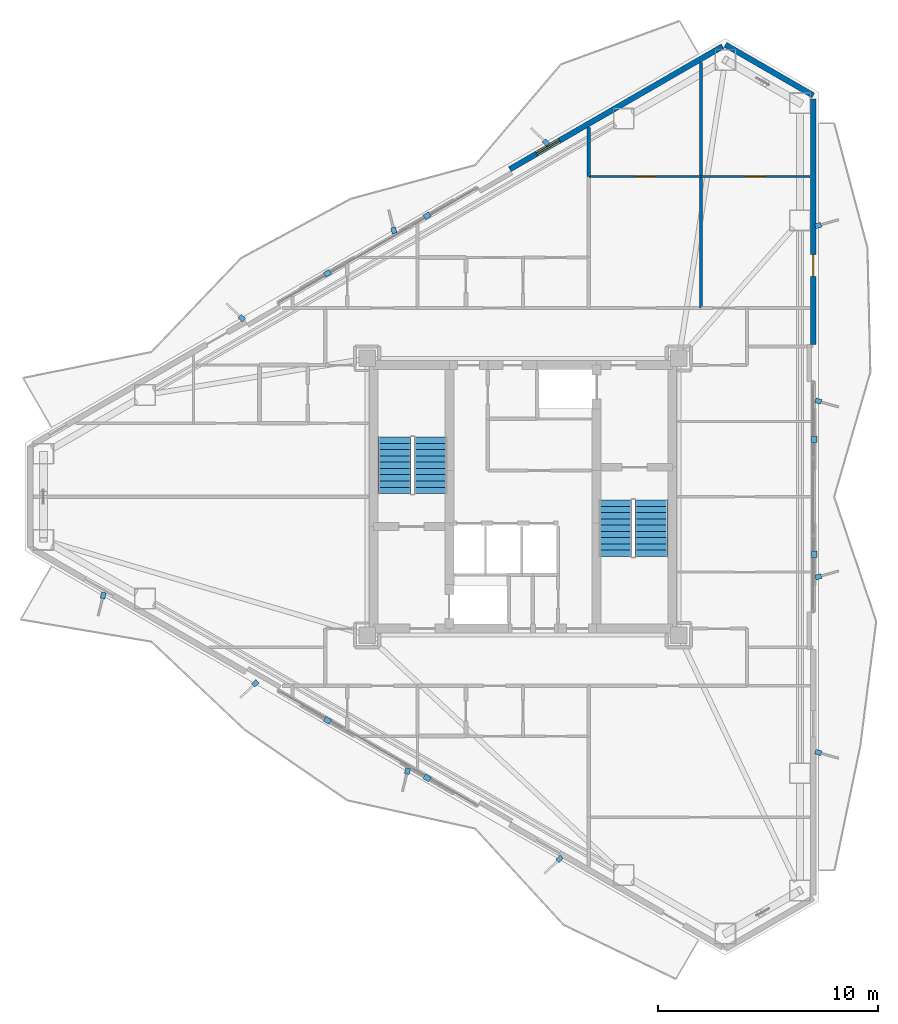
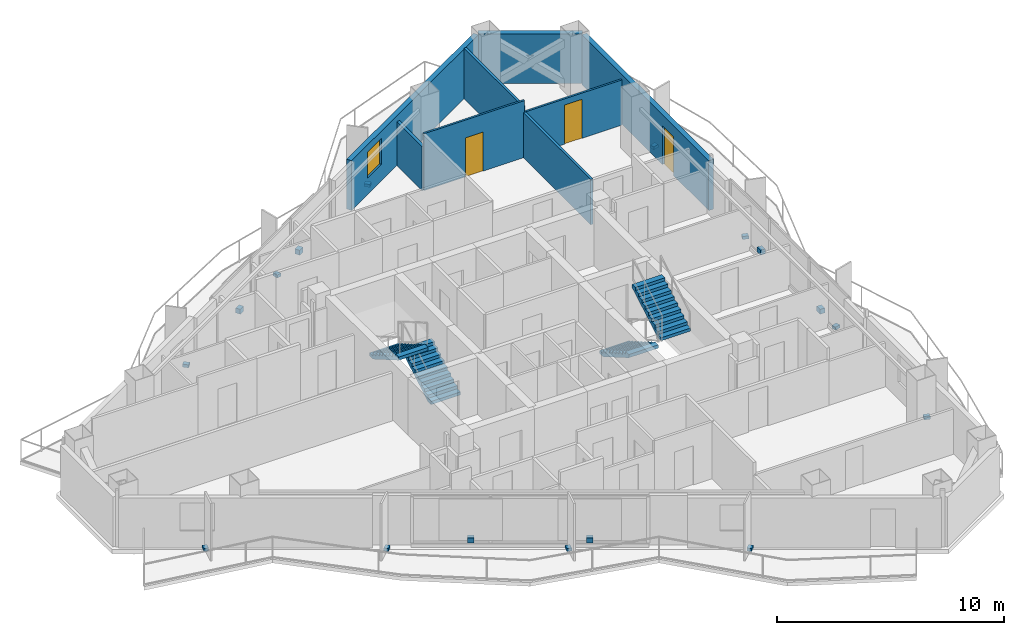
# One storey, part 16 of 18: 17 discrete accessories, 8 walls, 4 stair flights, 3 doors, 1 window, 4 openings, 2 elements without a shape of their own.
"""IFC4 building model written with IfcOpenShell, lengths in metres."""

from ifc_helpers import new_model, si_unit, direction, frame, frame_2d, origin, origin_2d, place, context, subcontext, project, spatial, polyline, rectangle, outline, extrude, material, layer, layer_set, type_object, element, fill, aggregate, save


model = new_model("IFC4")

# Units and contexts
model_context = context("Model", 3, precision=1e-05, world=origin(), true_north=direction((0.0, 1.0)))
body_context = subcontext(model_context, "Body", "Model", "MODEL_VIEW")
ifc_project = project(units=[si_unit("LENGTHUNIT", "METRE"), si_unit("AREAUNIT", "SQUARE_METRE"), si_unit("VOLUMEUNIT", "CUBIC_METRE"), si_unit("PLANEANGLEUNIT", "RADIAN"), si_unit("MASSUNIT", "GRAM", prefix="KILO")], contexts=[model_context])

# Site, building, storey
site_placement = place(None, origin())
site = spatial("IfcSite", under=ifc_project, at=site_placement, CompositionType="ELEMENT")
building_placement = place(site_placement, origin())
building = spatial("IfcBuilding", under=site, at=building_placement, Name="Mersakhor Tower and Convention Hall", CompositionType="ELEMENT")
storey_placement = place(building_placement, frame((0.0, 0.0, 154.199951171875)))
storey = spatial("IfcBuildingStorey", under=building, at=storey_placement, Name="L43", CompositionType="ELEMENT", Elevation=154.199951171875)

# Wall
ifc_material_1 = material(Name="Precast concrete C40/50", Category="concrete")
ifc_layer_1 = layer(ifc_material_1, 0.25)
ifc_layer_set_1 = layer_set([ifc_layer_1], Name="Precast concrete C40/50")
wall_type_1 = type_object("IfcWallType", Name="WL-EXT-250", PredefinedType="SOLIDWALL", material=ifc_layer_set_1)
wall_1_placement = place(storey_placement, frame((38.220458984375, 47.337646484375, 0.0), z_axis=(0.0, 0.0, 1.0), x_axis=(0.866035021055, -0.499983342029, 0.0)))
element("IfcWall", 1, at=wall_1_placement, inside=storey, type_object=wall_type_1, Name="L43 Chamfer Braced Spandrel Wall C1", PredefinedType="SOLIDWALL", context=body_context, shape_type="SweptSolid", body=[
    extrude(rectangle(XDim=4.617431640625, YDim=0.25, at=frame_2d((2.30859375, 0.0))), origin(), (0.0, 0.0, 1.0), 2.679931640625),
])

# Wall, opening, window
wall_2_placement = place(storey_placement, frame((28.4033203125, 41.669677734375, 0.0), z_axis=(0.0, 0.0, 1.0), x_axis=(0.86602239209, 0.500005216371, 0.0)))
wall_2 = element("IfcWall", 2, at=wall_2_placement, inside=storey, type_object=wall_type_1, Name="L43 Exterior Facade Wall F1-B3", PredefinedType="SOLIDWALL", context=body_context, shape_type="SweptSolid", body=[
    extrude(rectangle(XDim=11.18603515625, YDim=0.25, at=frame_2d((5.593017578125, 0.0))), origin(), (0.0, 0.0, 1.0), 2.679931640625),
])
opening_1_placement = place(wall_2_placement, frame((1.416015625, 0.0, 0.89990234375)))
opening_1 = element("IfcOpeningElement", 3, at=opening_1_placement, cuts=wall_2, Name="Opening W-01", PredefinedType="OPENING", context=body_context, shape_type="SweptSolid", body=[
    extrude(rectangle(XDim=1.199951171875, YDim=1.39990234375, at=frame_2d((0.60009765625, 0.699951171875))), frame((0.0, 0.135009765625, 0.0), z_axis=(0.0, -1.0, 0.0), x_axis=(1.0, 0.0, 0.0)), (0.0, 0.0, 1.0), 0.27001953125),
])
ifc_material_2 = material(Name="Dark solar low-E glazed aluminium window", Category="aluminium")
window_type = type_object("IfcWindowType", Name="WN-RES-120x150", PartitioningType="SINGLE_PANEL", PredefinedType="WINDOW", material=ifc_material_2)
window_placement = place(opening_1_placement, origin())
window = element("IfcWindow", 4, at=window_placement, inside=storey, type_object=window_type, Name="L43 Bedroom Facade Window F1-B3-1", OverallHeight=1.39990234375, OverallWidth=1.199951171875, PartitioningType="SINGLE_PANEL", PredefinedType="WINDOW", context=body_context, shape_type="SweptSolid", body=[
    extrude(rectangle(XDim=1.199951171875, YDim=1.39990234375, at=frame_2d((0.60009765625, 0.699951171875))), frame((0.0, 0.030029296875, 0.0), z_axis=(0.0, -1.0, 0.0), x_axis=(1.0, 0.0, 0.0)), (0.0, 0.0, 1.0), 0.06005859375),
])
fill(opening_1, window)

# Wall, opening, door
wall_3_placement = place(storey_placement, frame((42.21923828125, 44.87890625, 0.0), z_axis=(0.0, 0.0, 1.0), x_axis=(0.0, -1.0, 0.0)))
wall_3 = element("IfcWall", 5, at=wall_3_placement, inside=storey, type_object=wall_type_1, Name="L43 Exterior Facade Wall F2-B1", PredefinedType="SOLIDWALL", context=body_context, shape_type="SweptSolid", body=[
    extrude(rectangle(XDim=11.185791015625, YDim=0.25, at=frame_2d((5.5927734375, 0.0))), origin(), (0.0, 0.0, 1.0), 2.679931640625),
])
opening_2_placement = place(wall_3_placement, frame((7.094970703125, 0.0, 0.0)))
opening_2 = element("IfcOpeningElement", 6, at=opening_2_placement, cuts=wall_3, Name="Opening BD-01", PredefinedType="OPENING", context=body_context, shape_type="SweptSolid", body=[
    extrude(rectangle(XDim=1.0, YDim=2.10009765625, at=frame_2d((0.5, 1.050048828125))), frame((0.0, 0.135009765625, 0.0), z_axis=(0.0, -1.0, 0.0), x_axis=(1.0, 0.0, 0.0)), (0.0, 0.0, 1.0), 0.27001953125),
])
ifc_material_3 = material(Name="Thermally broken dark aluminium and safety glass", Category="aluminium")
door_type_1 = type_object("IfcDoorType", Name="DR-BAL-100x210", OperationType="NOTDEFINED", PredefinedType="DOOR", material=ifc_material_3)
door_1_placement = place(opening_2_placement, origin())
door_1 = element("IfcDoor", 7, at=door_1_placement, inside=storey, type_object=door_type_1, Name="L43 Balcony Terrace Door F2-B1", OperationType="SINGLE_SWING_LEFT", OverallHeight=2.10009765625, OverallWidth=1.0, PredefinedType="DOOR", context=body_context, shape_type="SweptSolid", body=[
    extrude(rectangle(XDim=1.0, YDim=2.10009765625, at=frame_2d((0.5, 1.050048828125))), frame((0.0, 0.02490234375, 0.0), z_axis=(0.0, -1.0, 0.0), x_axis=(1.0, 0.0, 0.0)), (0.0, 0.0, 1.0), 0.050048828125),
])
fill(opening_2, door_1)

ifc_material_4 = material(Name="Lightweight gypsum partition", Category="other")
ifc_layer_2 = layer(ifc_material_4, 0.10009765625)
ifc_layer_set_2 = layer_set([ifc_layer_2], Name="Lightweight gypsum partition")
wall_type_2 = type_object("IfcWallType", Name="WL-PRT-100", PredefinedType="PARTITIONING", material=ifc_layer_set_2)
wall_4_placement = place(storey_placement, frame((32.0, 41.340087890625, 0.0), z_axis=(0.0, 0.0, 1.0), x_axis=(1.0, 0.0, 0.0)))
wall_4 = element("IfcWall", 8, at=wall_4_placement, inside=storey, type_object=wall_type_2, Name="L43 Interior Partition Wall P-080", PredefinedType="PARTITIONING", context=body_context, shape_type="SweptSolid", body=[
    extrude(rectangle(XDim=5.110107421875, YDim=0.10009765625, at=frame_2d((2.55517578125, 0.0))), origin(), (0.0, 0.0, 1.0), 3.06005859375),
])
opening_3_placement = place(wall_4_placement, frame((2.10498046875, 0.0, 0.0)))
opening_3 = element("IfcOpeningElement", 9, at=opening_3_placement, cuts=wall_4, Name="Opening WD-01", PredefinedType="OPENING", context=body_context, shape_type="SweptSolid", body=[
    extrude(rectangle(XDim=0.89990234375, YDim=2.10009765625, at=frame_2d((0.449951171875, 1.050048828125))), frame((0.0, 0.06005859375, 0.0), z_axis=(0.0, -1.0, 0.0), x_axis=(1.0, 0.0, 0.0)), (0.0, 0.0, 1.0), 0.1201171875),
])
ifc_material_5 = material(Name="Solid-core hardwood leaf in painted steel frame", Category="steel")
door_type_2 = type_object("IfcDoorType", Name="DR-INT-WET-090x210", OperationType="NOTDEFINED", PredefinedType="DOOR", material=ifc_material_5)
door_2_placement = place(opening_3_placement, origin())
door_2 = element("IfcDoor", 10, at=door_2_placement, inside=storey, type_object=door_type_2, Name="L43 L43 North-East Residents Study Room to L43 North-East Residents Study Room Annex Door", OperationType="SINGLE_SWING_LEFT", OverallHeight=2.10009765625, OverallWidth=0.89990234375, PredefinedType="DOOR", context=body_context, shape_type="SweptSolid", body=[
    extrude(rectangle(XDim=0.89990234375, YDim=2.10009765625, at=frame_2d((0.449951171875, 1.050048828125))), frame((0.0, 0.02490234375, 0.0), z_axis=(0.0, -1.0, 0.0), x_axis=(1.0, 0.0, 0.0)), (0.0, 0.0, 1.0), 0.050048828125),
])
fill(opening_3, door_2)

wall_5_placement = place(storey_placement, frame((37.110107421875, 41.340087890625, 0.0), z_axis=(0.0, 0.0, 1.0), x_axis=(1.0, 0.0, 0.0)))
wall_5 = element("IfcWall", 11, at=wall_5_placement, inside=storey, type_object=wall_type_2, Name="L43 Interior Partition Wall P-082", PredefinedType="PARTITIONING", context=body_context, shape_type="SweptSolid", body=[
    extrude(rectangle(XDim=4.960205078125, YDim=0.10009765625, at=frame_2d((2.47998046875, 0.0))), origin(), (0.0, 0.0, 1.0), 2.432861328125),
])
opening_4_placement = place(wall_5_placement, frame((2.030029296875, 0.0, 0.0)))
opening_4 = element("IfcOpeningElement", 12, at=opening_4_placement, cuts=wall_5, Name="Opening WD-01", PredefinedType="OPENING", context=body_context, shape_type="SweptSolid", body=[
    extrude(rectangle(XDim=0.89990234375, YDim=2.10009765625, at=frame_2d((0.449951171875, 1.050048828125))), frame((0.0, 0.06005859375, 0.0), z_axis=(0.0, -1.0, 0.0), x_axis=(1.0, 0.0, 0.0)), (0.0, 0.0, 1.0), 0.1201171875),
])
door_3_placement = place(opening_4_placement, origin())
door_3 = element("IfcDoor", 13, at=door_3_placement, inside=storey, type_object=door_type_2, Name="L43 L43 North-East Residents Study Room Annex to L43 North-East Residents Study Room Annex Annex Door", OperationType="SINGLE_SWING_RIGHT", OverallHeight=2.10009765625, OverallWidth=0.89990234375, PredefinedType="DOOR", context=body_context, shape_type="SweptSolid", body=[
    extrude(rectangle(XDim=0.89990234375, YDim=2.10009765625, at=frame_2d((0.449951171875, 1.050048828125))), frame((0.0, 0.02490234375, 0.0), z_axis=(0.0, -1.0, 0.0), x_axis=(1.0, 0.0, 0.0)), (0.0, 0.0, 1.0), 0.050048828125),
])
fill(opening_4, door_3)

# Walls
ifc_material_6 = material(Name="Gypsum board acoustic partition", Category="other")
ifc_layer_3 = layer(ifc_material_6, 0.125)
ifc_layer_set_3 = layer_set([ifc_layer_3], Name="Gypsum board acoustic partition")
wall_type_3 = type_object("IfcWallType", Name="WL-PRT-125", PredefinedType="PARTITIONING", material=ifc_layer_set_3)
wall_6_placement = place(storey_placement, frame((37.110107421875, 41.340087890625, 0.0), z_axis=(0.0, 0.0, 1.0), x_axis=(0.0, -1.0, 0.0)))
element("IfcWall", 14, at=wall_6_placement, inside=storey, type_object=wall_type_3, Name="L43 Interior Partition Wall P-081", PredefinedType="PARTITIONING", context=body_context, shape_type="SweptSolid", body=[
    extrude(rectangle(XDim=5.989990234375, YDim=0.125, at=frame_2d((2.9951171875, 0.0))), origin(), (0.0, 0.0, 1.0), 2.432861328125),
])
wall_7_placement = place(storey_placement, frame((37.110107421875, 46.5244140625, 0.0), z_axis=(0.0, 0.0, 1.0), x_axis=(0.0, -1.0, 0.0)))
element("IfcWall", 15, at=wall_7_placement, inside=storey, type_object=wall_type_3, Name="L43 Interior Partition Wall P-085", PredefinedType="PARTITIONING", context=body_context, shape_type="SweptSolid", body=[
    extrude(rectangle(XDim=5.184326171875, YDim=0.125, at=frame_2d((2.59228515625, 0.0))), origin(), (0.0, 0.0, 1.0), 2.724609375),
])
ifc_material_7 = material(Name="Fire-rated gypsum board stud partition", Category="other")
ifc_layer_4 = layer(ifc_material_7, 0.14990234375)
ifc_layer_set_4 = layer_set([ifc_layer_4], Name="Fire-rated gypsum board stud partition")
wall_type_4 = type_object("IfcWallType", Name="WL-PRT-150", PredefinedType="PARTITIONING", material=ifc_layer_set_4)
wall_8_placement = place(storey_placement, frame((32.0, 41.340087890625, 0.0), z_axis=(0.0, 0.0, 1.0), x_axis=(0.0, 1.0, 0.0)))
element("IfcWall", 16, at=wall_8_placement, inside=storey, type_object=wall_type_4, Name="L43 Interior Partition Wall P-084", PredefinedType="PARTITIONING", context=body_context, shape_type="SweptSolid", body=[
    extrude(rectangle(XDim=2.234130859375, YDim=0.14990234375, at=frame_2d((1.1171875, 0.0))), origin(), (0.0, 0.0, 1.0), 2.364990234375),
])

# Stair, stair flights
ifc_material_8 = material(Name="Concrete C45/55", Category="concrete")
stair_type = type_object("IfcStairType", Name="ST-TWR-20R", PredefinedType="HALF_TURN_STAIR", material=ifc_material_8)
stair_1_placement = place(storey_placement, origin())
stair_1 = element("IfcStair", 17, at=stair_1_placement, inside=storey, type_object=stair_type, Name="L43 Tower Protected Exit Stair ST-1", PredefinedType="HALF_TURN_STAIR")
ifc_material_9 = material(Name="Concrete C45/55", Category="concrete")
stair_flight_type = type_object("IfcStairFlightType", Name="SFL-TWR-20R", PredefinedType="STRAIGHT", material=ifc_material_9)
stair_flight_1_placement = place(storey_placement, frame((24.800048828125, 26.89990234375, 0.0), z_axis=(0.0, 0.0, 1.0), x_axis=(0.0, 1.0, 0.0)))
stair_flight_1 = element("IfcStairFlight", 18, at=stair_flight_1_placement, type_object=stair_flight_type, Name="ST-1 flight 1", NumberOfRisers=10, NumberOfTreads=9, PredefinedType="STRAIGHT", RiserHeight=0.165, TreadLength=0.285, context=body_context, shape_type="SweptSolid", body=[
    extrude(outline(polyline([(0.0, 0.0), (0.0, 0.1650390625), (0.284912109375, 0.1650390625), (0.284912109375, 0.330078125), (0.570068359375, 0.330078125), (0.570068359375, 0.4951171875), (0.85498046875, 0.4951171875), (0.85498046875, 0.659912109375), (1.139892578125, 0.659912109375), (1.139892578125, 0.824951171875), (1.425048828125, 0.824951171875), (1.425048828125, 0.989990234375), (1.7099609375, 0.989990234375), (1.7099609375, 1.155029296875), (1.9951171875, 1.155029296875), (1.9951171875, 1.320068359375), (2.280029296875, 1.320068359375), (2.280029296875, 1.485107421875), (2.56494140625, 1.485107421875), (2.56494140625, 1.64990234375), (2.56494140625, 1.311767578125), (0.299072265625, 0.0), (0.0, 0.0)])), frame((0.0, 0.75, 0.0), z_axis=(0.0, -1.0, 0.0), x_axis=(1.0, 0.0, 0.0)), (0.0, 0.0, 1.0), 1.5),
])
stair_flight_2_placement = place(storey_placement, frame((23.14990234375, 29.465087890625, 1.650146484375), z_axis=(0.0, 0.0, 1.0), x_axis=(0.0, -1.0, 0.0)))
stair_flight_2 = element("IfcStairFlight", 19, at=stair_flight_2_placement, type_object=stair_flight_type, Name="ST-1 flight 2", NumberOfRisers=10, NumberOfTreads=9, PredefinedType="STRAIGHT", RiserHeight=0.165, TreadLength=0.285, context=body_context, shape_type="SweptSolid", body=[
    extrude(outline(polyline([(0.0, 0.0), (0.0, 0.1650390625), (0.284912109375, 0.1650390625), (0.284912109375, 0.330078125), (0.570068359375, 0.330078125), (0.570068359375, 0.4951171875), (0.85498046875, 0.4951171875), (0.85498046875, 0.659912109375), (1.139892578125, 0.659912109375), (1.139892578125, 0.824951171875), (1.425048828125, 0.824951171875), (1.425048828125, 0.989990234375), (1.7099609375, 0.989990234375), (1.7099609375, 1.155029296875), (1.9951171875, 1.155029296875), (1.9951171875, 1.320068359375), (2.280029296875, 1.320068359375), (2.280029296875, 1.485107421875), (2.56494140625, 1.485107421875), (2.56494140625, 1.64990234375), (2.56494140625, 1.311767578125), (0.299072265625, 0.0), (0.0, 0.0)])), frame((0.0, 0.75, 0.0), z_axis=(0.0, -1.0, 0.0), x_axis=(1.0, 0.0, 0.0)), (0.0, 0.0, 1.0), 1.5),
])
aggregate(stair_1, [stair_flight_1, stair_flight_2])

stair_2_placement = place(storey_placement, origin())
stair_2 = element("IfcStair", 20, at=stair_2_placement, inside=storey, type_object=stair_type, Name="L43 Tower Protected Exit Stair ST-2", PredefinedType="HALF_TURN_STAIR")
stair_flight_3_placement = place(storey_placement, frame((33.199951171875, 26.60009765625, 0.0), z_axis=(0.0, 0.0, 1.0), x_axis=(0.0, -1.0, 0.0)))
stair_flight_3 = element("IfcStairFlight", 21, at=stair_flight_3_placement, type_object=stair_flight_type, Name="ST-2 flight 1", NumberOfRisers=10, NumberOfTreads=9, PredefinedType="STRAIGHT", RiserHeight=0.165, TreadLength=0.285, context=body_context, shape_type="SweptSolid", body=[
    extrude(outline(polyline([(0.0, 0.0), (0.0, 0.1650390625), (0.284912109375, 0.1650390625), (0.284912109375, 0.330078125), (0.570068359375, 0.330078125), (0.570068359375, 0.4951171875), (0.85498046875, 0.4951171875), (0.85498046875, 0.659912109375), (1.139892578125, 0.659912109375), (1.139892578125, 0.824951171875), (1.425048828125, 0.824951171875), (1.425048828125, 0.989990234375), (1.7099609375, 0.989990234375), (1.7099609375, 1.155029296875), (1.9951171875, 1.155029296875), (1.9951171875, 1.320068359375), (2.280029296875, 1.320068359375), (2.280029296875, 1.485107421875), (2.56494140625, 1.485107421875), (2.56494140625, 1.64990234375), (2.56494140625, 1.311767578125), (0.299072265625, 0.0), (0.0, 0.0)])), frame((0.0, 0.75, 0.0), z_axis=(0.0, -1.0, 0.0), x_axis=(1.0, 0.0, 0.0)), (0.0, 0.0, 1.0), 1.5),
])
stair_flight_4_placement = place(storey_placement, frame((34.85009765625, 24.034912109375, 1.650146484375), z_axis=(0.0, 0.0, 1.0), x_axis=(0.0, 1.0, 0.0)))
stair_flight_4 = element("IfcStairFlight", 22, at=stair_flight_4_placement, type_object=stair_flight_type, Name="ST-2 flight 2", NumberOfRisers=10, NumberOfTreads=9, PredefinedType="STRAIGHT", RiserHeight=0.165, TreadLength=0.285, context=body_context, shape_type="SweptSolid", body=[
    extrude(outline(polyline([(0.0, 0.0), (0.0, 0.1650390625), (0.284912109375, 0.1650390625), (0.284912109375, 0.330078125), (0.570068359375, 0.330078125), (0.570068359375, 0.4951171875), (0.85498046875, 0.4951171875), (0.85498046875, 0.659912109375), (1.139892578125, 0.659912109375), (1.139892578125, 0.824951171875), (1.425048828125, 0.824951171875), (1.425048828125, 0.989990234375), (1.7099609375, 0.989990234375), (1.7099609375, 1.155029296875), (1.9951171875, 1.155029296875), (1.9951171875, 1.320068359375), (2.280029296875, 1.320068359375), (2.280029296875, 1.485107421875), (2.56494140625, 1.485107421875), (2.56494140625, 1.64990234375), (2.56494140625, 1.311767578125), (0.299072265625, 0.0), (0.0, 0.0)])), frame((0.0, 0.75, 0.0), z_axis=(0.0, -1.0, 0.0), x_axis=(1.0, 0.0, 0.0)), (0.0, 0.0, 1.0), 1.5),
])
aggregate(stair_2, [stair_flight_3, stair_flight_4])

# Discrete accessories
ifc_material_10 = material(Name="Galvanised steel bracket", Category="steel")
ifc_layer_5 = layer(ifc_material_10, 0.02001953125)
ifc_layer_set_5 = layer_set([ifc_layer_5], Name="Galvanised steel bracket")
discrete_accessory_type = type_object("IfcDiscreteAccessoryType", Name="ACC-BRK-STL", PredefinedType="BRACKET", material=ifc_layer_set_5)
for number, where, z_axis, x_axis, name in (
    (23, (20.09521484375, 36.9306640625, 0.2900390625), (0.0, 0.0, 1.0), (0.866025403784, 0.5, 0.0), "L43 Solar Screen Outrigger Bracket BRK-1-1"),
    (24, (24.6357421875, 39.55224609375, 0.2900390625), (0.0, 0.0, 1.0), (0.866025403784, 0.5, 0.0), "L43 Solar Screen Outrigger Bracket BRK-1-2"),
):
    element("IfcDiscreteAccessory", number, at=place(storey_placement, frame(where, z_axis=z_axis, x_axis=x_axis)), inside=storey, type_object=discrete_accessory_type, Name=name, PredefinedType="BRACKET", context=body_context, shape_type="SweptSolid", body=[
        extrude(rectangle(XDim=0.300048828125, YDim=0.239990234375, at=origin_2d()), origin(), (0.0, 0.0, 1.0), 0.260009765625),
    ])
for number, where, z_axis, x_axis, name in (
    (25, (16.193115234375, 34.8857421875, -0.02001953125), (0.0, 0.0, 1.0), (-0.719339800339, 0.694658370459, 0.0), "L43 Facade Fin Base Cleat Bracket FBRK-1-1"),
    (26, (23.12109375, 38.8857421875, -0.02001953125), (0.0, 0.0, 1.0), (-0.2419218956, 0.970295726276, 0.0), "L43 Facade Fin Base Cleat Bracket FBRK-1-2"),
    (27, (30.04931640625, 42.885498046875, -0.02001953125), (0.0, 0.0, 1.0), (-0.719339800339, 0.694658370459, 0.0), "L43 Facade Fin Base Cleat Bracket FBRK-1-3"),
):
    element("IfcDiscreteAccessory", number, at=place(storey_placement, frame(where, z_axis=z_axis, x_axis=x_axis)), inside=storey, type_object=discrete_accessory_type, Name=name, PredefinedType="BRACKET", context=body_context, shape_type="SweptSolid", body=[
        extrude(rectangle(XDim=0.280029296875, YDim=0.219970703125, at=origin_2d()), origin(), (0.0, 0.0, 1.0), 0.159912109375),
    ])
for number, where, z_axis, x_axis, name in (
    (28, (42.269287109375, 29.37158203125, 0.2900390625), (0.0, 0.0, 1.0), (0.0, -1.0, 0.0), "L43 Solar Screen Outrigger Bracket BRK-2-1"),
    (29, (42.269287109375, 24.12841796875, 0.2900390625), (0.0, 0.0, 1.0), (0.0, -1.0, 0.0), "L43 Solar Screen Outrigger Bracket BRK-2-2"),
):
    element("IfcDiscreteAccessory", number, at=place(storey_placement, frame(where, z_axis=z_axis, x_axis=x_axis)), inside=storey, type_object=discrete_accessory_type, Name=name, PredefinedType="BRACKET", context=body_context, shape_type="SweptSolid", body=[
        extrude(rectangle(XDim=0.300048828125, YDim=0.239990234375, at=origin_2d()), origin(), (0.0, 0.0, 1.0), 0.260009765625),
    ])
for number, where, z_axis, x_axis, name in (
    (30, (42.44921875, 39.106689453125, -0.02001953125), (0.0, 0.0, 1.0), (0.961261695938, 0.275637355817, 0.0), "L43 Facade Fin Base Cleat Bracket FBRK-2-1"),
    (31, (42.44921875, 31.106689453125, -0.02001953125), (0.0, 0.0, 1.0), (0.961261695938, -0.275637355817, 0.0), "L43 Facade Fin Base Cleat Bracket FBRK-2-2"),
    (32, (42.44921875, 23.106689453125, -0.02001953125), (0.0, 0.0, 1.0), (0.961261695938, 0.275637355817, 0.0), "L43 Facade Fin Base Cleat Bracket FBRK-2-3"),
    (33, (42.44921875, 15.106689453125, -0.02001953125), (0.0, 0.0, 1.0), (0.961261695938, -0.275637355817, 0.0), "L43 Facade Fin Base Cleat Bracket FBRK-2-4"),
):
    element("IfcDiscreteAccessory", number, at=place(storey_placement, frame(where, z_axis=z_axis, x_axis=x_axis)), inside=storey, type_object=discrete_accessory_type, Name=name, PredefinedType="BRACKET", context=body_context, shape_type="SweptSolid", body=[
        extrude(rectangle(XDim=0.280029296875, YDim=0.219970703125, at=origin_2d()), origin(), (0.0, 0.0, 1.0), 0.159912109375),
    ])
for number, where, z_axis, x_axis, name in (
    (34, (24.6357421875, 13.94775390625, 0.2900390625), (0.0, 0.0, 1.0), (-0.866025403784, 0.5, 0.0), "L43 Solar Screen Outrigger Bracket BRK-3-1"),
    (35, (20.09521484375, 16.5693359375, 0.2900390625), (0.0, 0.0, 1.0), (-0.866025403784, 0.5, 0.0), "L43 Solar Screen Outrigger Bracket BRK-3-2"),
):
    element("IfcDiscreteAccessory", number, at=place(storey_placement, frame(where, z_axis=z_axis, x_axis=x_axis)), inside=storey, type_object=discrete_accessory_type, Name=name, PredefinedType="BRACKET", context=body_context, shape_type="SweptSolid", body=[
        extrude(rectangle(XDim=0.300048828125, YDim=0.239990234375, at=origin_2d()), origin(), (0.0, 0.0, 1.0), 0.260009765625),
    ])
for number, where, z_axis, x_axis, name in (
    (36, (30.667236328125, 10.2578125, -0.02001953125), (0.0, 0.0, 1.0), (-0.719339800339, -0.694658370459, 0.0), "L43 Facade Fin Base Cleat Bracket FBRK-3-1"),
    (37, (23.739013671875, 14.2578125, -0.02001953125), (0.0, 0.0, 1.0), (-0.2419218956, -0.970295726276, 0.0), "L43 Facade Fin Base Cleat Bracket FBRK-3-2"),
    (38, (16.810791015625, 18.2578125, -0.02001953125), (0.0, 0.0, 1.0), (-0.719339800339, -0.694658370459, 0.0), "L43 Facade Fin Base Cleat Bracket FBRK-3-3"),
    (39, (9.882568359375, 22.257568359375, -0.02001953125), (0.0, 0.0, 1.0), (-0.2419218956, -0.970295726276, 0.0), "L43 Facade Fin Base Cleat Bracket FBRK-3-4"),
):
    element("IfcDiscreteAccessory", number, at=place(storey_placement, frame(where, z_axis=z_axis, x_axis=x_axis)), inside=storey, type_object=discrete_accessory_type, Name=name, PredefinedType="BRACKET", context=body_context, shape_type="SweptSolid", body=[
        extrude(rectangle(XDim=0.280029296875, YDim=0.219970703125, at=origin_2d()), origin(), (0.0, 0.0, 1.0), 0.159912109375),
    ])

save(model, "model.ifc")
